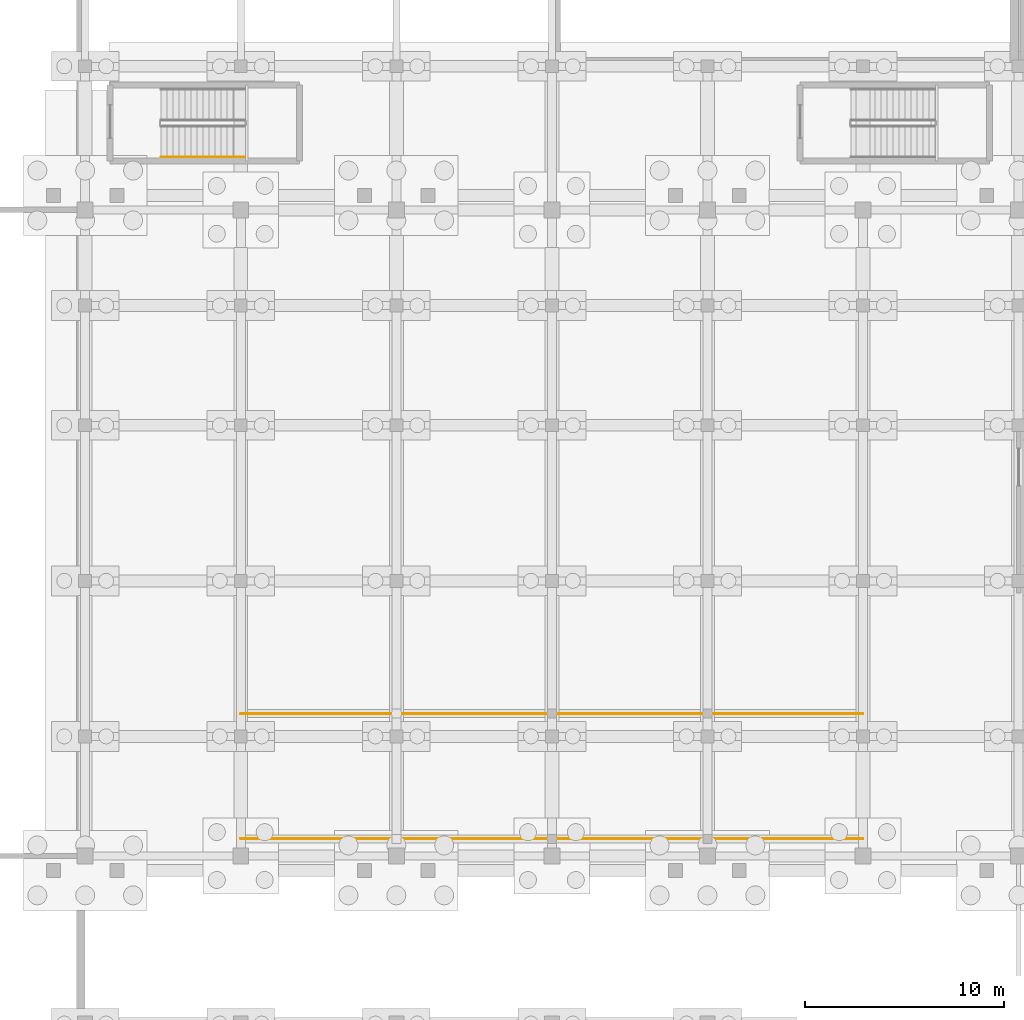
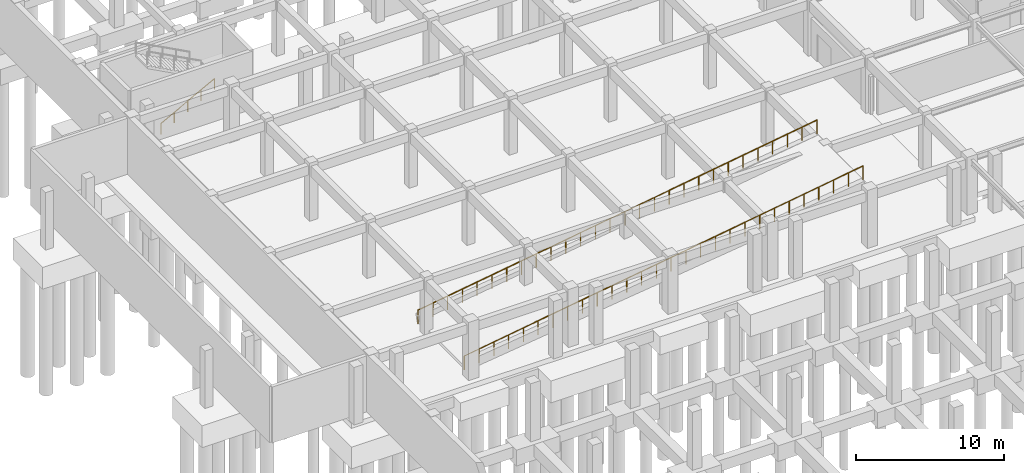
# One storey, part 22 of 26: 3 railings.
"""IFC4 building model written with IfcOpenShell, lengths in metres."""

from ifc_helpers import new_model, si_unit, direction, frame, origin, origin_2d, place, context, subcontext, project, spatial, circle, extrude, material, type_object, element, save


model = new_model("IFC4")

# Units and contexts
model_context = context("Model", 3, precision=1e-05, world=origin(), true_north=direction((0.0, 1.0)))
body_context = subcontext(model_context, "Body", "Model", "MODEL_VIEW")
ifc_project = project(units=[si_unit("LENGTHUNIT", "METRE"), si_unit("AREAUNIT", "SQUARE_METRE"), si_unit("VOLUMEUNIT", "CUBIC_METRE"), si_unit("PLANEANGLEUNIT", "RADIAN"), si_unit("MASSUNIT", "GRAM", prefix="KILO")], contexts=[model_context])

# Site, building, storey
site_placement = place(None, origin())
site = spatial("IfcSite", under=ifc_project, at=site_placement, CompositionType="ELEMENT")
building_placement = place(site_placement, origin())
building = spatial("IfcBuilding", under=site, at=building_placement, Name="Tizgana Railside Sports Hall", CompositionType="ELEMENT")
storey_placement = place(building_placement, frame((0.0, 0.0, -4.800048828125)))
storey = spatial("IfcBuildingStorey", under=building, at=storey_placement, Name="B1", CompositionType="ELEMENT", Elevation=-4.800048828125)

# Railings
ifc_material_1 = material(Name="Brushed stainless steel", Category="steel")
railing_type_1 = type_object("IfcRailingType", Name="Stair & Ramp Wall Handrail 900", PredefinedType="HANDRAIL", material=ifc_material_1)
railing_1_placement = place(storey_placement, frame((11.60009765625, 75.85009765625, 0.16015625)))
element("IfcRailing", 1, at=railing_1_placement, inside=storey, type_object=railing_type_1, Name="B1 ST-07 stair handrail 1", PredefinedType="HANDRAIL", context=body_context, shape_type="SweptSolid", body=[
    extrude(circle(Radius=0.02392578125, at=origin_2d()), frame((0.0, 0.0, 0.8759765625), z_axis=(0.882351521365, 0.0, 0.470590897432), x_axis=(0.0, 1.0, 0.0)), (0.0, 0.0, 1.0), 4.760009765625),
    extrude(circle(Radius=0.02099609375, at=origin_2d()), origin(), (0.0, 0.0, 1.0), 0.851806640625),
    extrude(circle(Radius=0.02099609375, at=origin_2d()), frame((1.050048828125, 0.0, 0.56005859375)), (0.0, 0.0, 1.0), 0.851806640625),
    extrude(circle(Radius=0.02099609375, at=origin_2d()), frame((2.10009765625, 0.0, 1.1201171875)), (0.0, 0.0, 1.0), 0.851806640625),
    extrude(circle(Radius=0.02099609375, at=origin_2d()), frame((3.14990234375, 0.0, 1.679931640625)), (0.0, 0.0, 1.0), 0.851806640625),
    extrude(circle(Radius=0.02099609375, at=origin_2d()), frame((4.199951171875, 0.0, 2.239990234375)), (0.0, 0.0, 1.0), 0.851806640625),
])
ifc_material_2 = material(Name="Anodised aluminium", Category="aluminium")
railing_type_2 = type_object("IfcRailingType", Name="Terrace & Track Guard 1150", PredefinedType="BALUSTRADE", material=ifc_material_2)
railing_2_placement = place(storey_placement, frame((15.60009765625, 41.669921875, 0.0)))
element("IfcRailing", 2, at=railing_2_placement, inside=storey, type_object=railing_type_2, Name="B1 Vehicle Ramp Guard S", PredefinedType="BALUSTRADE", context=body_context, shape_type="SweptSolid", body=[
    extrude(circle(Radius=0.02392578125, at=origin_2d()), frame((0.0, 0.0, 1.1259765625), z_axis=(0.988371429417, 0.0, 0.152058927765), x_axis=(0.0, 1.0, 0.0)), (0.0, 0.0, 1.0), 31.567138671875),
    extrude(circle(Radius=0.02099609375, at=origin_2d()), origin(), (0.0, 0.0, 1.0), 1.101806640625),
    extrude(circle(Radius=0.02099609375, at=origin_2d()), frame((1.155517578125, 0.0, 0.177734375)), (0.0, 0.0, 1.0), 1.101806640625),
    extrude(circle(Radius=0.02099609375, at=origin_2d()), frame((2.31103515625, 0.0, 0.35546875)), (0.0, 0.0, 1.0), 1.101806640625),
    extrude(circle(Radius=0.02099609375, at=origin_2d()), frame((3.466552734375, 0.0, 0.533447265625)), (0.0, 0.0, 1.0), 1.101806640625),
    extrude(circle(Radius=0.02099609375, at=origin_2d()), frame((4.622314453125, 0.0, 0.711181640625)), (0.0, 0.0, 1.0), 1.101806640625),
    extrude(circle(Radius=0.02099609375, at=origin_2d()), frame((5.77783203125, 0.0, 0.888916015625)), (0.0, 0.0, 1.0), 1.101806640625),
    extrude(circle(Radius=0.02099609375, at=origin_2d()), frame((6.933349609375, 0.0, 1.066650390625)), (0.0, 0.0, 1.0), 1.101806640625),
    extrude(circle(Radius=0.02099609375, at=origin_2d()), frame((8.0888671875, 0.0, 1.244384765625)), (0.0, 0.0, 1.0), 1.101806640625),
    extrude(circle(Radius=0.02099609375, at=origin_2d()), frame((9.244384765625, 0.0, 1.422119140625)), (0.0, 0.0, 1.0), 1.101806640625),
    extrude(circle(Radius=0.02099609375, at=origin_2d()), frame((10.39990234375, 0.0, 1.60009765625)), (0.0, 0.0, 1.0), 1.101806640625),
    extrude(circle(Radius=0.02099609375, at=origin_2d()), frame((11.555419921875, 0.0, 1.77783203125)), (0.0, 0.0, 1.0), 1.101806640625),
    extrude(circle(Radius=0.02099609375, at=origin_2d()), frame((12.711181640625, 0.0, 1.95556640625)), (0.0, 0.0, 1.0), 1.101806640625),
    extrude(circle(Radius=0.02099609375, at=origin_2d()), frame((13.86669921875, 0.0, 2.13330078125)), (0.0, 0.0, 1.0), 1.101806640625),
    extrude(circle(Radius=0.02099609375, at=origin_2d()), frame((15.022216796875, 0.0, 2.31103515625)), (0.0, 0.0, 1.0), 1.101806640625),
    extrude(circle(Radius=0.02099609375, at=origin_2d()), frame((16.177734375, 0.0, 2.489013671875)), (0.0, 0.0, 1.0), 1.101806640625),
    extrude(circle(Radius=0.02099609375, at=origin_2d()), frame((17.333251953125, 0.0, 2.666748046875)), (0.0, 0.0, 1.0), 1.101806640625),
    extrude(circle(Radius=0.02099609375, at=origin_2d()), frame((18.48876953125, 0.0, 2.844482421875)), (0.0, 0.0, 1.0), 1.101806640625),
    extrude(circle(Radius=0.02099609375, at=origin_2d()), frame((19.64453125, 0.0, 3.022216796875)), (0.0, 0.0, 1.0), 1.101806640625),
    extrude(circle(Radius=0.02099609375, at=origin_2d()), frame((20.800048828125, 0.0, 3.199951171875)), (0.0, 0.0, 1.0), 1.101806640625),
    extrude(circle(Radius=0.02099609375, at=origin_2d()), frame((21.95556640625, 0.0, 3.3779296875)), (0.0, 0.0, 1.0), 1.101806640625),
    extrude(circle(Radius=0.02099609375, at=origin_2d()), frame((23.111083984375, 0.0, 3.5556640625)), (0.0, 0.0, 1.0), 1.101806640625),
    extrude(circle(Radius=0.02099609375, at=origin_2d()), frame((24.2666015625, 0.0, 3.7333984375)), (0.0, 0.0, 1.0), 1.101806640625),
    extrude(circle(Radius=0.02099609375, at=origin_2d()), frame((25.422119140625, 0.0, 3.9111328125)), (0.0, 0.0, 1.0), 1.101806640625),
    extrude(circle(Radius=0.02099609375, at=origin_2d()), frame((26.57763671875, 0.0, 4.0888671875)), (0.0, 0.0, 1.0), 1.101806640625),
    extrude(circle(Radius=0.02099609375, at=origin_2d()), frame((27.7333984375, 0.0, 4.2666015625)), (0.0, 0.0, 1.0), 1.101806640625),
    extrude(circle(Radius=0.02099609375, at=origin_2d()), frame((28.888916015625, 0.0, 4.444580078125)), (0.0, 0.0, 1.0), 1.101806640625),
    extrude(circle(Radius=0.02099609375, at=origin_2d()), frame((30.04443359375, 0.0, 4.622314453125)), (0.0, 0.0, 1.0), 1.101806640625),
    extrude(circle(Radius=0.02099609375, at=origin_2d()), frame((31.199951171875, 0.0, 4.800048828125)), (0.0, 0.0, 1.0), 1.101806640625),
])
railing_3_placement = place(storey_placement, frame((15.60009765625, 47.929931640625, 0.0)))
element("IfcRailing", 3, at=railing_3_placement, inside=storey, type_object=railing_type_2, Name="B1 Vehicle Ramp Guard N", PredefinedType="BALUSTRADE", context=body_context, shape_type="SweptSolid", body=[
    extrude(circle(Radius=0.02392578125, at=origin_2d()), frame((0.0, 0.0, 1.1259765625), z_axis=(0.988371429417, 0.0, 0.152058927765), x_axis=(0.0, 1.0, 0.0)), (0.0, 0.0, 1.0), 31.567138671875),
    extrude(circle(Radius=0.02099609375, at=origin_2d()), origin(), (0.0, 0.0, 1.0), 1.101806640625),
    extrude(circle(Radius=0.02099609375, at=origin_2d()), frame((1.155517578125, 0.0, 0.177734375)), (0.0, 0.0, 1.0), 1.101806640625),
    extrude(circle(Radius=0.02099609375, at=origin_2d()), frame((2.31103515625, 0.0, 0.35546875)), (0.0, 0.0, 1.0), 1.101806640625),
    extrude(circle(Radius=0.02099609375, at=origin_2d()), frame((3.466552734375, 0.0, 0.533447265625)), (0.0, 0.0, 1.0), 1.101806640625),
    extrude(circle(Radius=0.02099609375, at=origin_2d()), frame((4.622314453125, 0.0, 0.711181640625)), (0.0, 0.0, 1.0), 1.101806640625),
    extrude(circle(Radius=0.02099609375, at=origin_2d()), frame((5.77783203125, 0.0, 0.888916015625)), (0.0, 0.0, 1.0), 1.101806640625),
    extrude(circle(Radius=0.02099609375, at=origin_2d()), frame((6.933349609375, 0.0, 1.066650390625)), (0.0, 0.0, 1.0), 1.101806640625),
    extrude(circle(Radius=0.02099609375, at=origin_2d()), frame((8.0888671875, 0.0, 1.244384765625)), (0.0, 0.0, 1.0), 1.101806640625),
    extrude(circle(Radius=0.02099609375, at=origin_2d()), frame((9.244384765625, 0.0, 1.422119140625)), (0.0, 0.0, 1.0), 1.101806640625),
    extrude(circle(Radius=0.02099609375, at=origin_2d()), frame((10.39990234375, 0.0, 1.60009765625)), (0.0, 0.0, 1.0), 1.101806640625),
    extrude(circle(Radius=0.02099609375, at=origin_2d()), frame((11.555419921875, 0.0, 1.77783203125)), (0.0, 0.0, 1.0), 1.101806640625),
    extrude(circle(Radius=0.02099609375, at=origin_2d()), frame((12.711181640625, 0.0, 1.95556640625)), (0.0, 0.0, 1.0), 1.101806640625),
    extrude(circle(Radius=0.02099609375, at=origin_2d()), frame((13.86669921875, 0.0, 2.13330078125)), (0.0, 0.0, 1.0), 1.101806640625),
    extrude(circle(Radius=0.02099609375, at=origin_2d()), frame((15.022216796875, 0.0, 2.31103515625)), (0.0, 0.0, 1.0), 1.101806640625),
    extrude(circle(Radius=0.02099609375, at=origin_2d()), frame((16.177734375, 0.0, 2.489013671875)), (0.0, 0.0, 1.0), 1.101806640625),
    extrude(circle(Radius=0.02099609375, at=origin_2d()), frame((17.333251953125, 0.0, 2.666748046875)), (0.0, 0.0, 1.0), 1.101806640625),
    extrude(circle(Radius=0.02099609375, at=origin_2d()), frame((18.48876953125, 0.0, 2.844482421875)), (0.0, 0.0, 1.0), 1.101806640625),
    extrude(circle(Radius=0.02099609375, at=origin_2d()), frame((19.64453125, 0.0, 3.022216796875)), (0.0, 0.0, 1.0), 1.101806640625),
    extrude(circle(Radius=0.02099609375, at=origin_2d()), frame((20.800048828125, 0.0, 3.199951171875)), (0.0, 0.0, 1.0), 1.101806640625),
    extrude(circle(Radius=0.02099609375, at=origin_2d()), frame((21.95556640625, 0.0, 3.3779296875)), (0.0, 0.0, 1.0), 1.101806640625),
    extrude(circle(Radius=0.02099609375, at=origin_2d()), frame((23.111083984375, 0.0, 3.5556640625)), (0.0, 0.0, 1.0), 1.101806640625),
    extrude(circle(Radius=0.02099609375, at=origin_2d()), frame((24.2666015625, 0.0, 3.7333984375)), (0.0, 0.0, 1.0), 1.101806640625),
    extrude(circle(Radius=0.02099609375, at=origin_2d()), frame((25.422119140625, 0.0, 3.9111328125)), (0.0, 0.0, 1.0), 1.101806640625),
    extrude(circle(Radius=0.02099609375, at=origin_2d()), frame((26.57763671875, 0.0, 4.0888671875)), (0.0, 0.0, 1.0), 1.101806640625),
    extrude(circle(Radius=0.02099609375, at=origin_2d()), frame((27.7333984375, 0.0, 4.2666015625)), (0.0, 0.0, 1.0), 1.101806640625),
    extrude(circle(Radius=0.02099609375, at=origin_2d()), frame((28.888916015625, 0.0, 4.444580078125)), (0.0, 0.0, 1.0), 1.101806640625),
    extrude(circle(Radius=0.02099609375, at=origin_2d()), frame((30.04443359375, 0.0, 4.622314453125)), (0.0, 0.0, 1.0), 1.101806640625),
    extrude(circle(Radius=0.02099609375, at=origin_2d()), frame((31.199951171875, 0.0, 4.800048828125)), (0.0, 0.0, 1.0), 1.101806640625),
])

save(model, "model.ifc")
